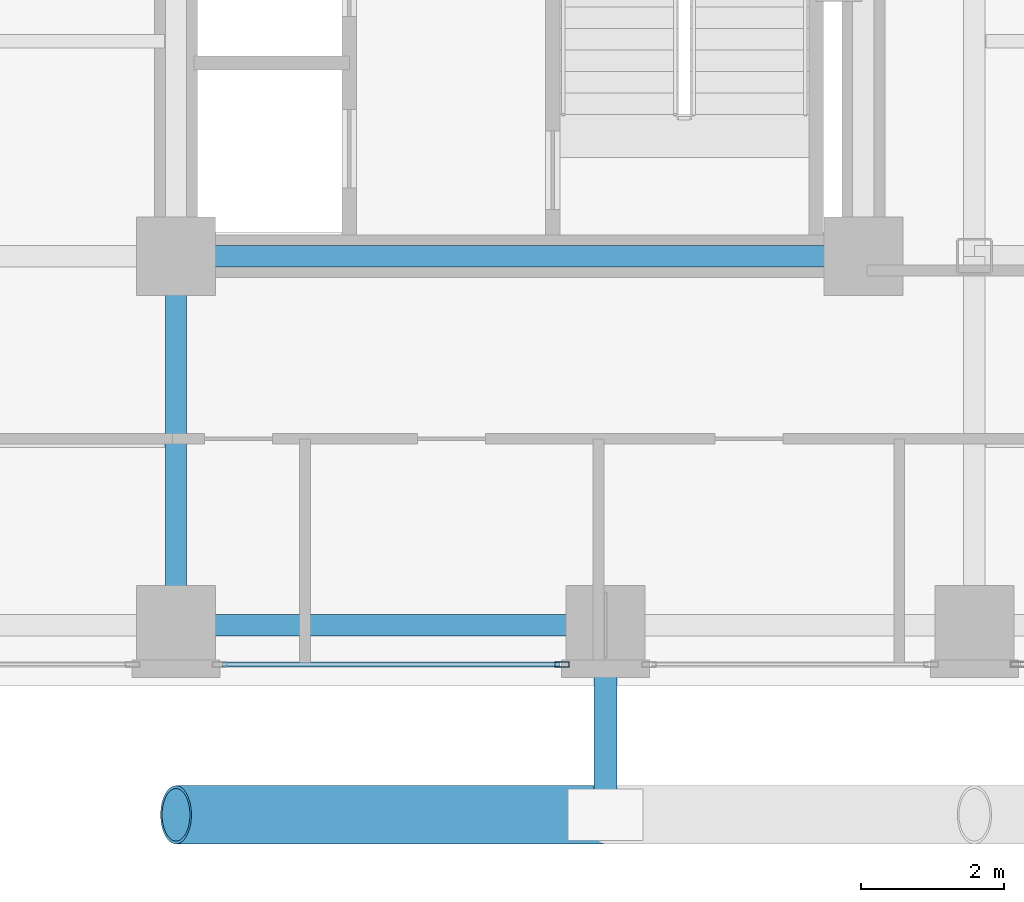
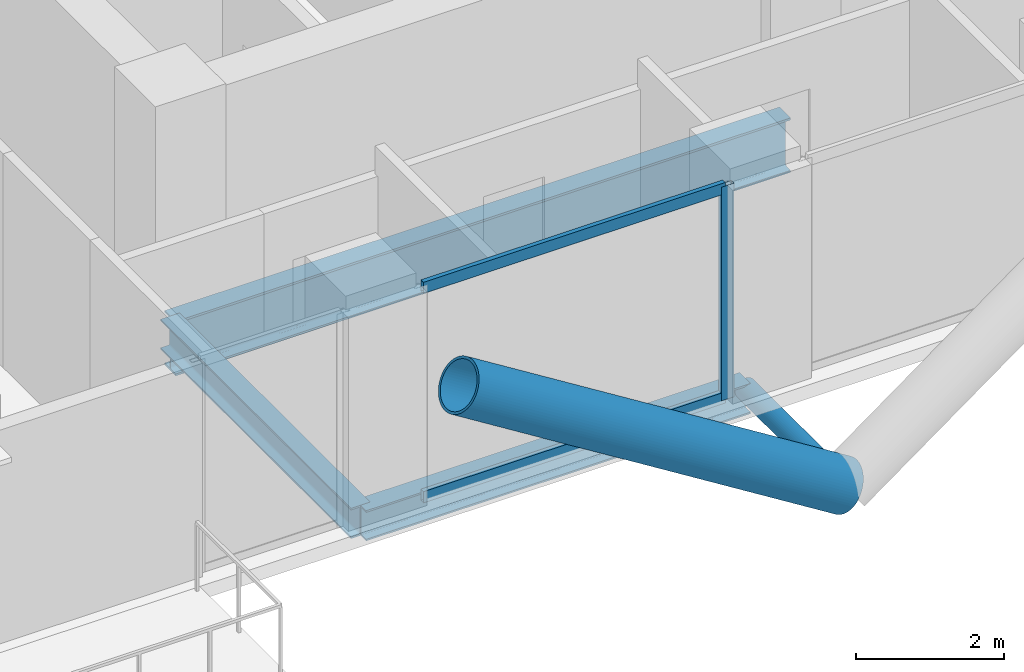
# One storey, part 4 of 24: 5 members, 3 beams, 1 element without a shape of its own.
"""IFC4 building model written with IfcOpenShell, lengths in metres."""

from ifc_helpers import new_model, si_unit, direction, frame, origin, origin_2d, place, context, subcontext, project, spatial, hollow_rectangle, hollow_circle, i_section, extrude, material, layer, layer_set, material_profile, profile_set, type_object, element, aggregate, save


model = new_model("IFC4")

# Units and contexts
model_context = context("Model", 3, precision=1e-05, world=origin(), true_north=direction((0.0, 1.0)))
body_context = subcontext(model_context, "Body", "Model", "MODEL_VIEW")
ifc_project = project(units=[si_unit("LENGTHUNIT", "METRE"), si_unit("AREAUNIT", "SQUARE_METRE"), si_unit("VOLUMEUNIT", "CUBIC_METRE"), si_unit("PLANEANGLEUNIT", "RADIAN"), si_unit("MASSUNIT", "GRAM", prefix="KILO"), si_unit("THERMODYNAMICTEMPERATUREUNIT", "KELVIN"), si_unit("POWERUNIT", "WATT")], contexts=[model_context])

# Site, building, storey
site_placement = place(None, origin())
site = spatial("IfcSite", under=ifc_project, at=site_placement, CompositionType="ELEMENT")
building_placement = place(site_placement, origin())
building = spatial("IfcBuilding", under=site, at=building_placement, Name="Svarakhadi Broadcast Tower", CompositionType="ELEMENT")
storey_placement = place(building_placement, frame((0.0, 0.0, 156.89990234375)))
storey = spatial("IfcBuildingStorey", under=building, at=storey_placement, Name="L38", CompositionType="ELEMENT", Elevation=156.89990234375)

# Curtain wall, members
ifc_material_1 = material(Name="Anodised Bronze Aluminium AA 6063-T6", Category="aluminium")
ifc_layer = layer(ifc_material_1, 0.199951171875)
ifc_layer_set = layer_set([ifc_layer], Name="Anodised Bronze Aluminium AA 6063-T6")
curtain_wall_type = type_object("IfcCurtainWallType", Name="CW_Sys_03", PredefinedType="NOTDEFINED", material=ifc_layer_set)
curtain_wall_placement = place(storey_placement, origin())
curtain_wall = element("IfcCurtainWall", 1, at=curtain_wall_placement, inside=storey, type_object=curtain_wall_type, Name="L38 South Curtain Wall 16 Bay 3", PredefinedType="NOTDEFINED")
ifc_material_profile_1 = material_profile(ifc_material_1, hollow_rectangle(XDim=0.074951171875, YDim=0.199951171875, WallThickness=0.005615234375, at=origin_2d()), Name="ALU MULLION 200x75x6")
ifc_profile_set_1 = profile_set([ifc_material_profile_1], Name="Anodised Bronze Aluminium AA 6063-T6")
member_type_1 = type_object("IfcMemberType", Name="CW_Sys_03_Mul", PredefinedType="MULLION", material=ifc_profile_set_1)
member_1_placement = place(storey_placement, frame((29.392578125, 0.300048828125, 0.0), z_axis=(0.0, 0.0, 1.0), x_axis=(0.0, -1.0, 0.0)))
member_1 = element("IfcMember", 2, at=member_1_placement, type_object=member_type_1, Name="CW-03 mullion 1", PredefinedType="MULLION", context=body_context, shape_type="SweptSolid", body=[
    extrude(hollow_rectangle(XDim=0.074951171875, YDim=0.199951171875, WallThickness=0.005615234375, at=origin_2d()), origin(), (0.0, 0.0, 1.0), 3.525146484375),
])
ifc_material_profile_2 = material_profile(ifc_material_1, hollow_rectangle(XDim=0.070068359375, YDim=0.18505859375, WallThickness=0.0048828125, at=origin_2d()), Name="ALU TRANSOM 185x70x5")
ifc_profile_set_2 = profile_set([ifc_material_profile_2], Name="Anodised Bronze Aluminium AA 6063-T6")
member_type_2 = type_object("IfcMemberType", Name="CW_Sys_03_Trn", PredefinedType="USERDEFINED", material=ifc_profile_set_2)
member_2_placement = place(storey_placement, frame((29.35498046875, 0.300048828125, 0.03515625), z_axis=(-1.0, 0.0, 0.0), x_axis=(0.0, -1.0, 0.0)))
member_2 = element("IfcMember", 3, at=member_2_placement, type_object=member_type_2, Name="CW-03 transom 1.1", ObjectType="TRANSOM", PredefinedType="USERDEFINED", context=body_context, shape_type="SweptSolid", body=[
    extrude(hollow_rectangle(XDim=0.070068359375, YDim=0.18505859375, WallThickness=0.0048828125, at=origin_2d()), origin(), (0.0, 0.0, 1.0), 4.7099609375),
])
member_3_placement = place(storey_placement, frame((29.35498046875, 0.300048828125, 3.489990234375), z_axis=(-1.0, 0.0, 0.0), x_axis=(0.0, -1.0, 0.0)))
member_3 = element("IfcMember", 4, at=member_3_placement, type_object=member_type_2, Name="CW-03 transom 1.2", ObjectType="TRANSOM", PredefinedType="USERDEFINED", context=body_context, shape_type="SweptSolid", body=[
    extrude(hollow_rectangle(XDim=0.070068359375, YDim=0.18505859375, WallThickness=0.0048828125, at=origin_2d()), origin(), (0.0, 0.0, 1.0), 4.7099609375),
])
aggregate(curtain_wall, [member_1, member_2, member_3])

# Members
ifc_material_2 = material(Name="Steel S460ML (IS 2062 E450BR)", Category="steel")
ifc_material_profile_3 = material_profile(ifc_material_2, hollow_circle(Radius=0.406494140625, WallThickness=0.0400390625, at=origin_2d()), Name="CHS 813x40")
ifc_profile_set_3 = profile_set([ifc_material_profile_3], Name="Steel S460ML (IS 2062 E450BR)")
member_type_3 = type_object("IfcMemberType", Name="Exo_Brace_CHS813", PredefinedType="BRACE", material=ifc_profile_set_3)
member_4_placement = place(storey_placement, frame((30.0, -1.800048828125, -0.386962890625), z_axis=(-0.847998304005, 0.0, 0.529998940003), x_axis=(0.0, -1.0, 0.0)))
element("IfcMember", 5, at=member_4_placement, inside=storey, type_object=member_type_3, Name="L38 Exposed Bronze Exoskeleton Diagonal S01", PredefinedType="BRACE", context=body_context, shape_type="SweptSolid", body=[
    extrude(hollow_circle(Radius=0.406494140625, WallThickness=0.0400390625, at=origin_2d()), origin(), (0.0, 0.0, 1.0), 7.075439453125),
])
ifc_material_profile_4 = material_profile(ifc_material_2, hollow_circle(Radius=0.161865234375, WallThickness=0.01611328125, at=origin_2d()), Name="CHS 323.9x16")
ifc_profile_set_4 = profile_set([ifc_material_profile_4], Name="Steel S460ML (IS 2062 E450BR)")
member_type_4 = type_object("IfcMemberType", Name="Exo_Radial_Strut_Z2", PredefinedType="STRUT", material=ifc_profile_set_4)
member_5_placement = place(storey_placement, frame((30.0, -1.800048828125, -0.386962890625), z_axis=(0.0, 1.0, 0.0), x_axis=(-1.0, 0.0, 0.0)))
element("IfcMember", 6, at=member_5_placement, inside=storey, type_object=member_type_4, Name="L38 Exoskeleton Radial Tie Strut S03", PredefinedType="STRUT", context=body_context, shape_type="SweptSolid", body=[
    extrude(hollow_circle(Radius=0.161865234375, WallThickness=0.01611328125, at=origin_2d()), origin(), (0.0, 0.0, 1.0), 2.650146484375),
])

# Beams
ifc_material_3 = material(Name="Steel S355J2 (IS 2062 E350C)", Category="steel")
ifc_material_profile_5 = material_profile(ifc_material_3, i_section(OverallWidth=0.300048828125, OverallDepth=0.5, WebThickness=0.014404296875, FlangeThickness=0.028076171875, FilletRadius=0.027099609375, at=origin_2d()), Name="WPB 500x300x187")
ifc_profile_set_5 = profile_set([ifc_material_profile_5], Name="Steel S355J2 (IS 2062 E350C)")
beam_type_1 = type_object("IfcBeamType", Name="Girder_WPB500", PredefinedType="USERDEFINED", material=ifc_profile_set_5)
beam_1_placement = place(storey_placement, frame((24.0, 0.85009765625, -0.474853515625), z_axis=(1.0, 0.0, 0.0), x_axis=(0.0, 1.0, 0.0)))
element("IfcBeam", 7, at=beam_1_placement, inside=storey, type_object=beam_type_1, Name="L38 Primary E-W Girder G007", ObjectType="GIRDER", PredefinedType="USERDEFINED", context=body_context, shape_type="SweptSolid", body=[
    extrude(i_section(OverallWidth=0.300048828125, OverallDepth=0.5, WebThickness=0.014404296875, FlangeThickness=0.028076171875, FilletRadius=0.027099609375, at=origin_2d()), origin(), (0.0, 0.0, 1.0), 6.0),
])
beam_2_placement = place(storey_placement, frame((24.0, 0.85009765625, -0.474853515625), z_axis=(0.0, 1.0, 0.0), x_axis=(-1.0, 0.0, 0.0)))
element("IfcBeam", 8, at=beam_2_placement, inside=storey, type_object=beam_type_1, Name="L38 Primary N-S Girder G062", ObjectType="GIRDER", PredefinedType="USERDEFINED", context=body_context, shape_type="SweptSolid", body=[
    extrude(i_section(OverallWidth=0.300048828125, OverallDepth=0.5, WebThickness=0.014404296875, FlangeThickness=0.028076171875, FilletRadius=0.027099609375, at=origin_2d()), origin(), (0.0, 0.0, 1.0), 5.14990234375),
])
ifc_material_profile_6 = material_profile(ifc_material_2, i_section(OverallWidth=0.300048828125, OverallDepth=0.89990234375, WebThickness=0.0185546875, FlangeThickness=0.034912109375, FilletRadius=0.030029296875, at=origin_2d()), Name="WPB 900x300x291")
ifc_profile_set_6 = profile_set([ifc_material_profile_6], Name="Steel S460ML (IS 2062 E450BR)")
beam_type_2 = type_object("IfcBeamType", Name="Girder_WPB900", PredefinedType="USERDEFINED", material=ifc_profile_set_6)
beam_3_placement = place(storey_placement, frame((24.0, 6.0, -0.6748046875), z_axis=(1.0, 0.0, 0.0), x_axis=(0.0, 1.0, 0.0)))
element("IfcBeam", 9, at=beam_3_placement, inside=storey, type_object=beam_type_2, Name="L38 Primary E-W Girder G014", ObjectType="GIRDER", PredefinedType="USERDEFINED", context=body_context, shape_type="SweptSolid", body=[
    extrude(i_section(OverallWidth=0.300048828125, OverallDepth=0.89990234375, WebThickness=0.0185546875, FlangeThickness=0.034912109375, FilletRadius=0.030029296875, at=origin_2d()), origin(), (0.0, 0.0, 1.0), 9.60009765625),
])

save(model, "model.ifc")
